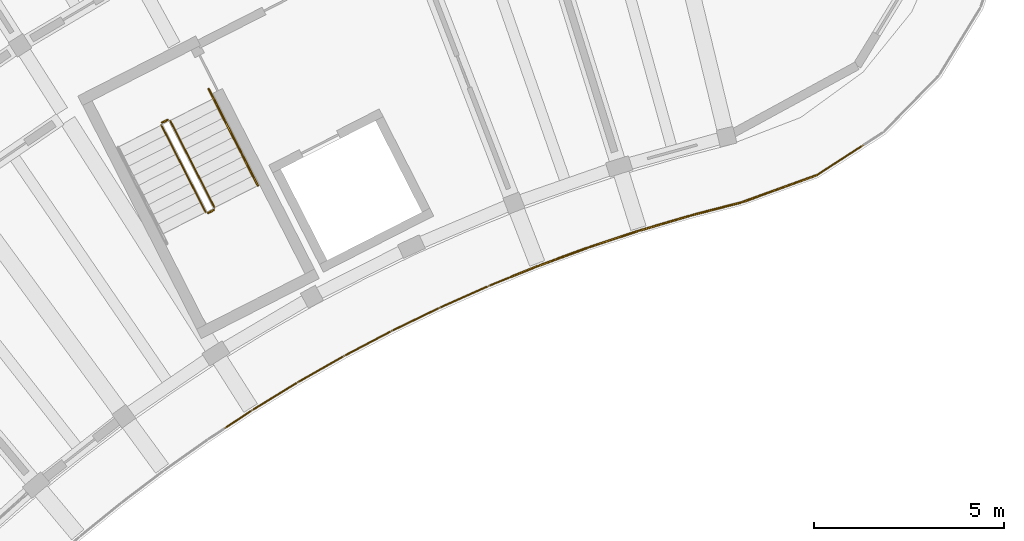
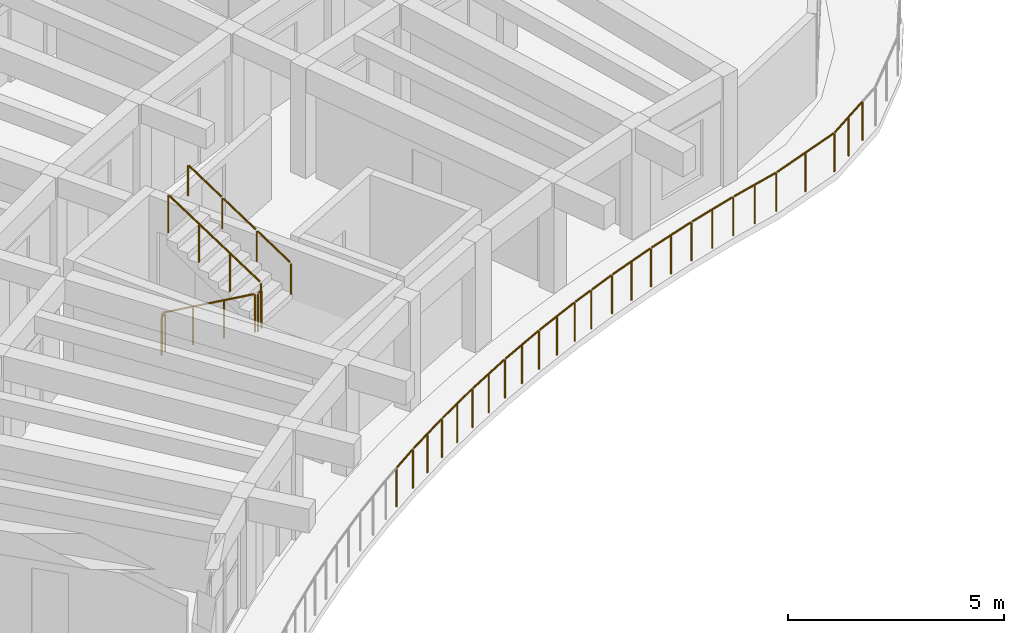
# One storey, part 29 of 32: 10 railings.
"""IFC4 building model written with IfcOpenShell, lengths in metres."""

from ifc_helpers import new_model, si_unit, direction, frame, origin, origin_2d, place, context, subcontext, project, spatial, circle, extrude, material, type_object, element, save


model = new_model("IFC4")

# Units and contexts
model_context = context("Model", 3, precision=1e-05, world=origin(), true_north=direction((0.0, 1.0)))
body_context = subcontext(model_context, "Body", "Model", "MODEL_VIEW")
ifc_project = project(units=[si_unit("LENGTHUNIT", "METRE"), si_unit("AREAUNIT", "SQUARE_METRE"), si_unit("VOLUMEUNIT", "CUBIC_METRE"), si_unit("PLANEANGLEUNIT", "RADIAN"), si_unit("MASSUNIT", "GRAM", prefix="KILO")], contexts=[model_context])

# Site, building, storey
site_placement = place(None, origin())
site = spatial("IfcSite", under=ifc_project, at=site_placement, CompositionType="ELEMENT")
building_placement = place(site_placement, origin())
building = spatial("IfcBuilding", under=site, at=building_placement, Name="Tanwirah Colonnade Gardens", CompositionType="ELEMENT")
storey_placement = place(building_placement, frame((0.0, 0.0, 42.43994140625)))
storey = spatial("IfcBuildingStorey", under=building, at=storey_placement, Name="L12", CompositionType="ELEMENT", Elevation=42.43994140625)

# Railings
ifc_material_1 = material(Name="Precast concrete C40/50", Category="concrete")
railing_type_1 = type_object("IfcRailingType", Name="BAL-EXT112", PredefinedType="BALUSTRADE", material=ifc_material_1)
railing_1_placement = place(storey_placement, frame((56.95751953125, 102.40478515625, 0.0)))
element("IfcRailing", 1, at=railing_1_placement, inside=storey, type_object=railing_type_1, Name="Block A L12 Balcony Ribbon Balustrade 1", PredefinedType="BALUSTRADE", context=body_context, shape_type="SweptSolid", body=[
    extrude(circle(Radius=0.02392578125, at=origin_2d()), frame((-0.029296875, -0.0107421875, 1.09619140625), z_axis=(-0.93978320246, -0.341771169606, 0.0), x_axis=(0.341771169606, -0.93978320246, 0.0)), (0.0, 0.0, 1.0), 2.02978515625),
    extrude(circle(Radius=0.02392578125, at=origin_2d()), frame((-1.99658203125, -0.722900390625, 1.09619140625), z_axis=(-0.968152012133, -0.250363099122, 0.0), x_axis=(0.250363099122, -0.968152012133, 0.0)), (0.0, 0.0, 1.0), 1.337890625),
    extrude(circle(Radius=0.02392578125, at=origin_2d()), frame((-3.354736328125, -1.0751953125, 1.09619140625), z_axis=(-0.959362733044, -0.282175736812, 0.0), x_axis=(0.282175736812, -0.959362733044, 0.0)), (0.0, 0.0, 1.0), 1.341796875),
    extrude(circle(Radius=0.02392578125, at=origin_2d()), frame((-4.704345703125, -1.47314453125, 1.09619140625), z_axis=(-0.949531842797, -0.313670654533, 0.0), x_axis=(0.313670654533, -0.949531842797, 0.0)), (0.0, 0.0, 1.0), 1.341552734375),
    extrude(circle(Radius=0.02392578125, at=origin_2d()), frame((-6.039794921875, -1.91552734375, 1.09619140625), z_axis=(-0.93868698515, -0.344770567059, 0.0), x_axis=(0.344770567059, -0.93868698515, 0.0)), (0.0, 0.0, 1.0), 1.341796875),
    extrude(circle(Radius=0.02392578125, at=origin_2d()), frame((-7.360107421875, -2.401611328125, 1.09619140625), z_axis=(-0.926900383191, -0.375307446823, 0.0), x_axis=(0.375307446823, -0.926900383191, 0.0)), (0.0, 0.0, 1.0), 0.721435546875),
    extrude(circle(Radius=0.02099609375, at=origin_2d()), origin(), (0.0, 0.0, 1.0), 1.069091796875),
    extrude(circle(Radius=0.02099609375, at=origin_2d()), frame((-0.983154296875, -0.357421875, 0.0)), (0.0, 0.0, 1.0), 1.069091796875),
    extrude(circle(Radius=0.02099609375, at=origin_2d()), frame((-1.96630859375, -0.715087890625, 0.0)), (0.0, 0.0, 1.0), 1.069091796875),
    extrude(circle(Radius=0.02099609375, at=origin_2d()), frame((-2.64404296875, -0.890380859375, 0.0)), (0.0, 0.0, 1.0), 1.069091796875),
    extrude(circle(Radius=0.02099609375, at=origin_2d()), frame((-3.322021484375, -1.065673828125, 0.0)), (0.0, 0.0, 1.0), 1.069091796875),
    extrude(circle(Radius=0.02099609375, at=origin_2d()), frame((-3.998291015625, -1.2646484375, 0.0)), (0.0, 0.0, 1.0), 1.069091796875),
    extrude(circle(Radius=0.02099609375, at=origin_2d()), frame((-4.671875, -1.462646484375, 0.0)), (0.0, 0.0, 1.0), 1.069091796875),
    extrude(circle(Radius=0.02099609375, at=origin_2d()), frame((-5.34130859375, -1.68359375, 0.0)), (0.0, 0.0, 1.0), 1.069091796875),
    extrude(circle(Radius=0.02099609375, at=origin_2d()), frame((-6.0078125, -1.90380859375, 0.0)), (0.0, 0.0, 1.0), 1.069091796875),
    extrude(circle(Radius=0.02099609375, at=origin_2d()), frame((-6.66943359375, -2.14697265625, 0.0)), (0.0, 0.0, 1.0), 1.069091796875),
    extrude(circle(Radius=0.02099609375, at=origin_2d()), frame((-7.32861328125, -2.388916015625, 0.0)), (0.0, 0.0, 1.0), 1.069091796875),
    extrude(circle(Radius=0.02099609375, at=origin_2d()), frame((-8.0576171875, -2.68408203125, 0.0)), (0.0, 0.0, 1.0), 1.069091796875),
])
railing_2_placement = place(storey_placement, frame((48.89990234375, 99.720703125, 0.0)))
element("IfcRailing", 2, at=railing_2_placement, inside=storey, type_object=railing_type_1, Name="Block A L12 Balcony Ribbon Balustrade 2", PredefinedType="BALUSTRADE", context=body_context, shape_type="SweptSolid", body=[
    extrude(circle(Radius=0.02392578125, at=origin_2d()), frame((-0.029052734375, -0.01171875, 1.09619140625), z_axis=(-0.926757775287, -0.375659454753, 0.0), x_axis=(0.375659454753, -0.926757775287, 0.0)), (0.0, 0.0, 1.0), 0.55810546875),
    extrude(circle(Radius=0.02392578125, at=origin_2d()), frame((-0.60595703125, -0.246826171875, 1.09619140625), z_axis=(-0.913997826773, -0.40571908096, 0.0), x_axis=(0.40571908096, -0.913997826773, 0.0)), (0.0, 0.0, 1.0), 1.342041015625),
    extrude(circle(Radius=0.02392578125, at=origin_2d()), frame((-1.891357421875, -0.81884765625, 1.09619140625), z_axis=(-0.900124070825, -0.43563362717, 0.0), x_axis=(0.43563362717, -0.900124070825, 0.0)), (0.0, 0.0, 1.0), 1.341796875),
    extrude(circle(Radius=0.02392578125, at=origin_2d()), frame((-3.1572265625, -1.432861328125, 1.09619140625), z_axis=(-0.885204649416, -0.465201814972, 0.0), x_axis=(0.465201814972, -0.885204649416, 0.0)), (0.0, 0.0, 1.0), 1.341796875),
    extrude(circle(Radius=0.02392578125, at=origin_2d()), frame((-4.40234375, -2.088134765625, 1.09619140625), z_axis=(-0.869342839865, -0.494209496848, 0.0), x_axis=(0.494209496848, -0.869342839865, 0.0)), (0.0, 0.0, 1.0), 1.342041015625),
    extrude(circle(Radius=0.02392578125, at=origin_2d()), frame((-5.625, -2.784423828125, 1.09619140625), z_axis=(-0.852623736113, -0.522525372223, 0.0), x_axis=(0.522525372223, -0.852623736113, 0.0)), (0.0, 0.0, 1.0), 1.342041015625),
    extrude(circle(Radius=0.02392578125, at=origin_2d()), frame((-6.82421875, -3.520263671875, 1.09619140625), z_axis=(-0.834894602807, -0.550409849298, 0.0), x_axis=(0.550409849298, -0.834894602807, 0.0)), (0.0, 0.0, 1.0), 0.779296875),
    extrude(circle(Radius=0.02099609375, at=origin_2d()), origin(), (0.0, 0.0, 1.0), 1.069091796875),
    extrude(circle(Radius=0.02099609375, at=origin_2d()), frame((-0.5751953125, -0.233154296875, 0.0)), (0.0, 0.0, 1.0), 1.069091796875),
    extrude(circle(Radius=0.02099609375, at=origin_2d()), frame((-1.21923828125, -0.51904296875, 0.0)), (0.0, 0.0, 1.0), 1.069091796875),
    extrude(circle(Radius=0.02099609375, at=origin_2d()), frame((-1.861083984375, -0.803955078125, 0.0)), (0.0, 0.0, 1.0), 1.069091796875),
    extrude(circle(Radius=0.02099609375, at=origin_2d()), frame((-2.495361328125, -1.111083984375, 0.0)), (0.0, 0.0, 1.0), 1.069091796875),
    extrude(circle(Radius=0.02099609375, at=origin_2d()), frame((-3.12744140625, -1.4169921875, 0.0)), (0.0, 0.0, 1.0), 1.069091796875),
    extrude(circle(Radius=0.02099609375, at=origin_2d()), frame((-3.751220703125, -1.744873046875, 0.0)), (0.0, 0.0, 1.0), 1.069091796875),
    extrude(circle(Radius=0.02099609375, at=origin_2d()), frame((-4.372802734375, -2.071533203125, 0.0)), (0.0, 0.0, 1.0), 1.069091796875),
    extrude(circle(Radius=0.02099609375, at=origin_2d()), frame((-4.98583984375, -2.419921875, 0.0)), (0.0, 0.0, 1.0), 1.069091796875),
    extrude(circle(Radius=0.02099609375, at=origin_2d()), frame((-5.59619140625, -2.766845703125, 0.0)), (0.0, 0.0, 1.0), 1.069091796875),
    extrude(circle(Radius=0.02099609375, at=origin_2d()), frame((-6.197265625, -3.135009765625, 0.0)), (0.0, 0.0, 1.0), 1.069091796875),
    extrude(circle(Radius=0.02099609375, at=origin_2d()), frame((-6.7958984375, -3.501953125, 0.0)), (0.0, 0.0, 1.0), 1.069091796875),
    extrude(circle(Radius=0.02099609375, at=origin_2d()), frame((-7.5009765625, -3.966552734375, 0.0)), (0.0, 0.0, 1.0), 1.069091796875),
])
railing_3_placement = place(storey_placement, frame((58.158935546875, 103.18017578125, 0.0)))
element("IfcRailing", 3, at=railing_3_placement, inside=storey, type_object=railing_type_1, Name="Block A L12 Balcony Ribbon Balustrade 19", PredefinedType="BALUSTRADE", context=body_context, shape_type="SweptSolid", body=[
    extrude(circle(Radius=0.02392578125, at=origin_2d()), frame((-0.0263671875, -0.016845703125, 1.09619140625), z_axis=(-0.840206311774, -0.542266865717, 0.0), x_axis=(0.542266865717, -0.840206311774, 0.0)), (0.0, 0.0, 1.0), 1.367431640625),
    extrude(circle(Radius=0.02099609375, at=origin_2d()), origin(), (0.0, 0.0, 1.0), 1.069091796875),
    extrude(circle(Radius=0.02099609375, at=origin_2d()), frame((-0.6005859375, -0.3876953125, 0.0)), (0.0, 0.0, 1.0), 1.069091796875),
    extrude(circle(Radius=0.02099609375, at=origin_2d()), frame((-1.201416015625, -0.775390625, 0.0)), (0.0, 0.0, 1.0), 1.069091796875),
])
ifc_material_2 = material(Name="Powder-coated galvanized steel", Category="steel")
railing_type_2 = type_object("IfcRailingType", Name="GRD-ST110", PredefinedType="GUARDRAIL", material=ifc_material_2)
railing_4_placement = place(storey_placement, frame((39.718994140625, 103.715576171875, 0.16796875)))
element("IfcRailing", 4, at=railing_4_placement, inside=storey, type_object=railing_type_2, Name="L12 ST-A1 stair guard 1", PredefinedType="GUARDRAIL", context=body_context, shape_type="SweptSolid", body=[
    extrude(circle(Radius=0.02392578125, at=origin_2d()), frame((0.01220703125, -0.02392578125, 1.092041015625), z_axis=(0.391036547105, -0.767559890428, 0.507880136877), x_axis=(0.891032232724, 0.453940040365, 0.0)), (0.0, 0.0, 1.0), 2.9150390625),
    extrude(circle(Radius=0.02099609375, at=origin_2d()), origin(), (0.0, 0.0, 1.0), 1.049072265625),
    extrude(circle(Radius=0.02099609375, at=origin_2d()), frame((0.38818359375, -0.76171875, 0.504150390625)), (0.0, 0.0, 1.0), 1.049072265625),
    extrude(circle(Radius=0.02099609375, at=origin_2d()), frame((0.776123046875, -1.523681640625, 1.008056640625)), (0.0, 0.0, 1.0), 1.049072265625),
    extrude(circle(Radius=0.02099609375, at=origin_2d()), frame((1.164306640625, -2.285400390625, 1.51220703125)), (0.0, 0.0, 1.0), 1.049072265625),
])
railing_5_placement = place(storey_placement, frame((40.95068359375, 101.408203125, 1.68017578125)))
element("IfcRailing", 5, at=railing_5_placement, inside=storey, type_object=railing_type_2, Name="L12 ST-A1 stair guard 2", PredefinedType="GUARDRAIL", context=body_context, shape_type="SweptSolid", body=[
    extrude(circle(Radius=0.02392578125, at=origin_2d()), frame((0.02783203125, 0.01416015625, 1.076171875), z_axis=(0.89073666619, 0.4545197372, 0.0), x_axis=(-0.4545197372, 0.89073666619, 0.0)), (0.0, 0.0, 1.0), 0.09765625),
    extrude(circle(Radius=0.02099609375, at=origin_2d()), origin(), (0.0, 0.0, 1.0), 1.049072265625),
    extrude(circle(Radius=0.02099609375, at=origin_2d()), frame((0.142578125, 0.07275390625, 0.0)), (0.0, 0.0, 1.0), 1.049072265625),
])
railing_6_placement = place(storey_placement, frame((41.114990234375, 101.548095703125, 1.84814453125)))
element("IfcRailing", 6, at=railing_6_placement, inside=storey, type_object=railing_type_2, Name="L12 ST-A1 stair guard 3", PredefinedType="GUARDRAIL", context=body_context, shape_type="SweptSolid", body=[
    extrude(circle(Radius=0.02392578125, at=origin_2d()), frame((-0.01220703125, 0.02392578125, 1.092041015625), z_axis=(-0.3911222872, 0.767567239095, 0.507803003067), x_axis=(-0.890993730975, -0.45401560696, 0.0)), (0.0, 0.0, 1.0), 2.9150390625),
    extrude(circle(Radius=0.02099609375, at=origin_2d()), origin(), (0.0, 0.0, 1.0), 1.049072265625),
    extrude(circle(Radius=0.02099609375, at=origin_2d()), frame((-0.38818359375, 0.76171875, 0.50390625)), (0.0, 0.0, 1.0), 1.049072265625),
    extrude(circle(Radius=0.02099609375, at=origin_2d()), frame((-0.7763671875, 1.523681640625, 1.008056640625)), (0.0, 0.0, 1.0), 1.049072265625),
    extrude(circle(Radius=0.02099609375, at=origin_2d()), frame((-1.16455078125, 2.285400390625, 1.511962890625)), (0.0, 0.0, 1.0), 1.049072265625),
])
railing_7_placement = place(storey_placement, frame((39.74072265625, 103.78271484375, 0.0)))
element("IfcRailing", 7, at=railing_7_placement, inside=storey, type_object=railing_type_2, Name="L12 ST-A1 stair guard 4", PredefinedType="GUARDRAIL", context=body_context, shape_type="SweptSolid", body=[
    extrude(circle(Radius=0.02392578125, at=origin_2d()), frame((0.02783203125, 0.01416015625, 1.076171875), z_axis=(0.89073666619, 0.4545197372, 0.0), x_axis=(-0.4545197372, 0.89073666619, 0.0)), (0.0, 0.0, 1.0), 0.09765625),
    extrude(circle(Radius=0.02099609375, at=origin_2d()), origin(), (0.0, 0.0, 1.0), 1.049072265625),
    extrude(circle(Radius=0.02099609375, at=origin_2d()), frame((0.142578125, 0.07275390625, 0.0)), (0.0, 0.0, 1.0), 1.049072265625),
])
ifc_material_3 = material(Name="Brushed bronze stainless steel", Category="steel")
railing_type_3 = type_object("IfcRailingType", Name="HR-ST090", PredefinedType="HANDRAIL", material=ifc_material_3)
railing_8_placement = place(storey_placement, frame((42.255615234375, 102.129150390625, 1.84814453125)))
element("IfcRailing", 8, at=railing_8_placement, inside=storey, type_object=railing_type_3, Name="L12 ST-A1 stair handrail 4", PredefinedType="HANDRAIL", context=body_context, shape_type="SweptSolid", body=[
    extrude(circle(Radius=0.02392578125, at=origin_2d()), frame((-0.01220703125, 0.02392578125, 0.891845703125), z_axis=(-0.390117538533, 0.765442844423, 0.51176709356), x_axis=(-0.890957114254, -0.454087459154, 0.0)), (0.0, 0.0, 1.0), 1.043212890625),
    extrude(circle(Radius=0.02099609375, at=origin_2d()), origin(), (0.0, 0.0, 1.0), 0.848876953125),
    extrude(circle(Radius=0.02099609375, at=origin_2d()), frame((-0.431396484375, 0.846435546875, 0.56591796875)), (0.0, 0.0, 1.0), 0.848876953125),
])
railing_9_placement = place(storey_placement, frame((41.82421875, 102.9755859375, 2.4140625)))
element("IfcRailing", 9, at=railing_9_placement, inside=storey, type_object=railing_type_3, Name="L12 ST-A1 stair handrail 5", PredefinedType="HANDRAIL", context=body_context, shape_type="SweptSolid", body=[
    extrude(circle(Radius=0.02392578125, at=origin_2d()), frame((-0.01220703125, 0.02392578125, 0.891845703125), z_axis=(-0.390051618152, 0.765534245474, 0.511680617361), x_axis=(-0.891010084603, -0.453983511965, 0.0)), (0.0, 0.0, 1.0), 1.04345703125),
    extrude(circle(Radius=0.02099609375, at=origin_2d()), origin(), (0.0, 0.0, 1.0), 0.848876953125),
    extrude(circle(Radius=0.02099609375, at=origin_2d()), frame((-0.431396484375, 0.8466796875, 0.56591796875)), (0.0, 0.0, 1.0), 0.848876953125),
])
railing_10_placement = place(storey_placement, frame((41.392822265625, 103.822265625, 2.97998046875)))
element("IfcRailing", 10, at=railing_10_placement, inside=storey, type_object=railing_type_3, Name="L12 ST-A1 stair handrail 6", PredefinedType="HANDRAIL", context=body_context, shape_type="SweptSolid", body=[
    extrude(circle(Radius=0.02392578125, at=origin_2d()), frame((-0.01220703125, 0.02392578125, 0.891845703125), z_axis=(-0.389886268615, 0.765422249879, 0.511974097915), x_axis=(-0.891061070925, -0.453883429839, 0.0)), (0.0, 0.0, 1.0), 1.043212890625),
    extrude(circle(Radius=0.02099609375, at=origin_2d()), origin(), (0.0, 0.0, 1.0), 0.848876953125),
    extrude(circle(Radius=0.02099609375, at=origin_2d()), frame((-0.43115234375, 0.846435546875, 0.566162109375)), (0.0, 0.0, 1.0), 0.848876953125),
])

save(model, "model.ifc")
